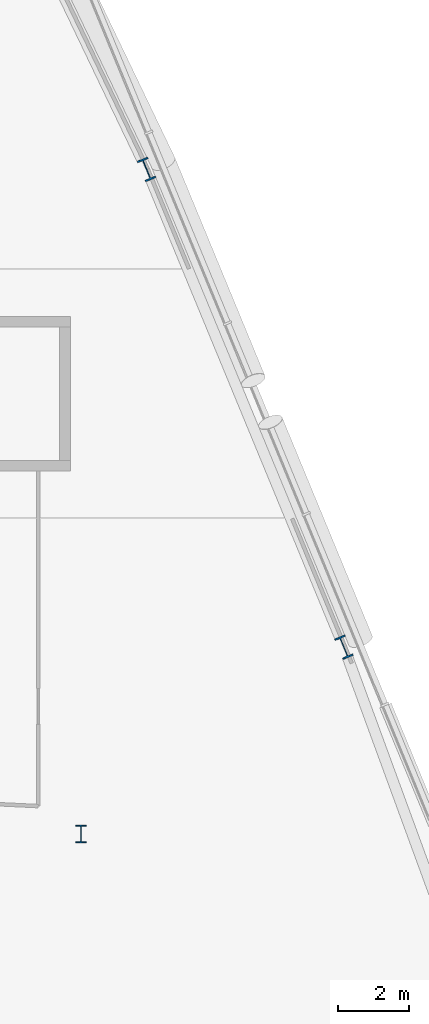
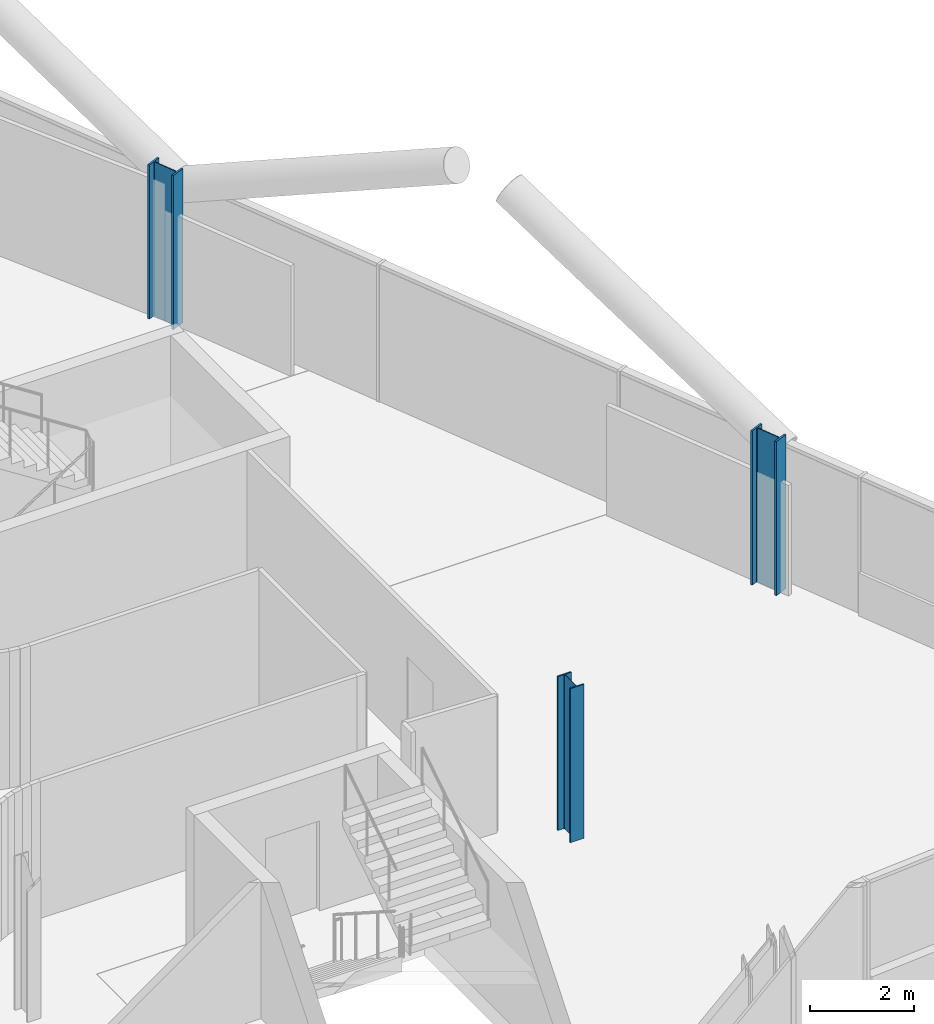
# One storey, part 5 of 29: 3 columns.
"""IFC4 building model written with IfcOpenShell, lengths in metres."""

from ifc_helpers import new_model, si_unit, direction, frame, origin, origin_2d, place, context, subcontext, project, spatial, i_section, extrude, material, material_profile, profile_set, type_object, element, save


model = new_model("IFC4")

# Units and contexts
model_context = context("Model", 3, precision=1e-05, world=origin(), true_north=direction((0.0, 1.0)))
body_context = subcontext(model_context, "Body", "Model", "MODEL_VIEW")
ifc_project = project(units=[si_unit("LENGTHUNIT", "METRE"), si_unit("AREAUNIT", "SQUARE_METRE"), si_unit("VOLUMEUNIT", "CUBIC_METRE"), si_unit("PLANEANGLEUNIT", "RADIAN"), si_unit("MASSUNIT", "GRAM", prefix="KILO")], contexts=[model_context])

# Site, building, storey
site_placement = place(None, origin())
site = spatial("IfcSite", under=ifc_project, at=site_placement, CompositionType="ELEMENT")
building_placement = place(site_placement, origin())
building = spatial("IfcBuilding", under=site, at=building_placement, Name="Wharfspan Tower", CompositionType="ELEMENT")
storey_placement = place(building_placement, frame((0.0, 0.0, 162.699951)))
storey = spatial("IfcBuildingStorey", under=building, at=storey_placement, Name="L39", CompositionType="ELEMENT", Elevation=162.699951)

# Columns
ifc_material = material(Name="Steel S355J2", Category="steel")
ifc_material_profile_1 = material_profile(ifc_material, i_section(OverallWidth=0.300049, OverallDepth=0.5, WebThickness=0.014404, FlangeThickness=0.028076, FilletRadius=0.0271, at=origin_2d()))
ifc_profile_set_1 = profile_set([ifc_material_profile_1], Name="Steel S355J2")
column_type_1 = type_object("IfcColumnType", Name="Column HEB 500", PredefinedType="COLUMN", material=ifc_profile_set_1)
column_placement = place(storey_placement, frame((72.0, 11.5, 0.0), z_axis=(0.0, 0.0, 1.0), x_axis=(1.0, 0.0, 0.0)))
element("IfcColumn", 1, at=column_placement, inside=storey, type_object=column_type_1, Name="Interior column I.1.5 L39", PredefinedType="COLUMN", context=body_context, shape_type="SweptSolid", body=[
    extrude(i_section(OverallWidth=0.300049, OverallDepth=0.5, WebThickness=0.014404, FlangeThickness=0.028076, FilletRadius=0.0271, at=origin_2d()), origin(), (0.0, 0.0, 1.0), 3.600098),
])
ifc_material_profile_2 = material_profile(ifc_material, i_section(OverallWidth=0.304932, OverallDepth=0.620117, WebThickness=0.020996, FlangeThickness=0.040039, FilletRadius=0.0271, at=origin_2d()))
ifc_profile_set_2 = profile_set([ifc_material_profile_2], Name="Steel S355J2")
column_type_2 = type_object("IfcColumnType", Name="Column HEM 600", PredefinedType="COLUMN", material=ifc_profile_set_2)
for number, where, z_axis, x_axis, name in (
    (2, (79.409668, 16.761719, 0.0), (0.0, 0.0, 1.0), (0.924325, 0.381602, 0.0), "Perimeter column PE.1 L39"),
    (3, (73.85376, 30.219238, 0.0), (0.0, 0.0, 1.0), (0.924325, 0.381602, 0.0), "Perimeter column PE.2 L39"),
):
    element("IfcColumn", number, at=place(storey_placement, frame(where, z_axis=z_axis, x_axis=x_axis)), inside=storey, type_object=column_type_2, Name=name, PredefinedType="COLUMN", context=body_context, shape_type="SweptSolid", body=[
        extrude(i_section(OverallWidth=0.304932, OverallDepth=0.620117, WebThickness=0.020996, FlangeThickness=0.040039, FilletRadius=0.0271, at=origin_2d()), origin(), (0.0, 0.0, 1.0), 3.600098),
    ])

save(model, "model.ifc")
